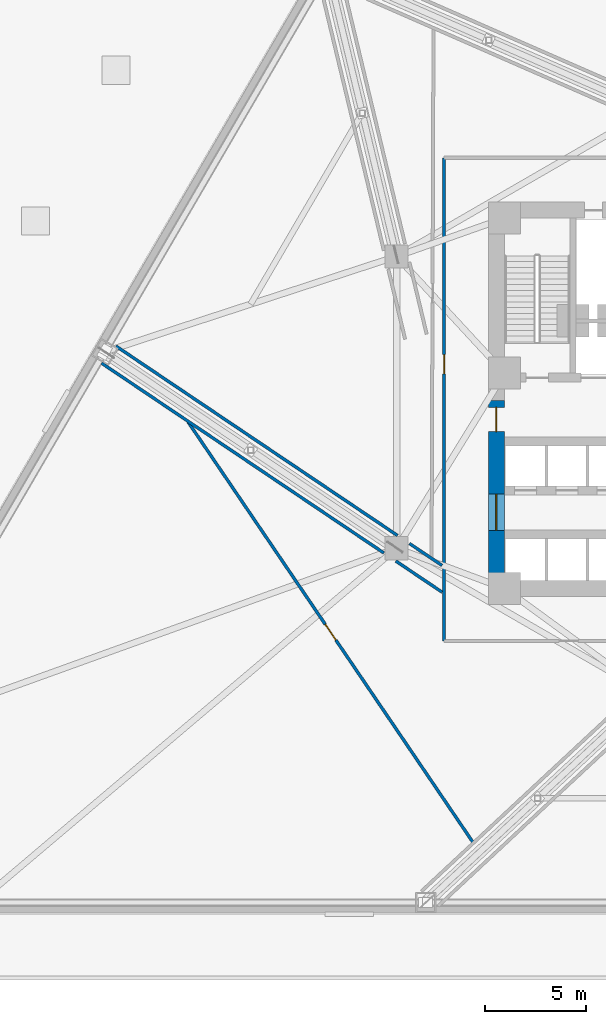
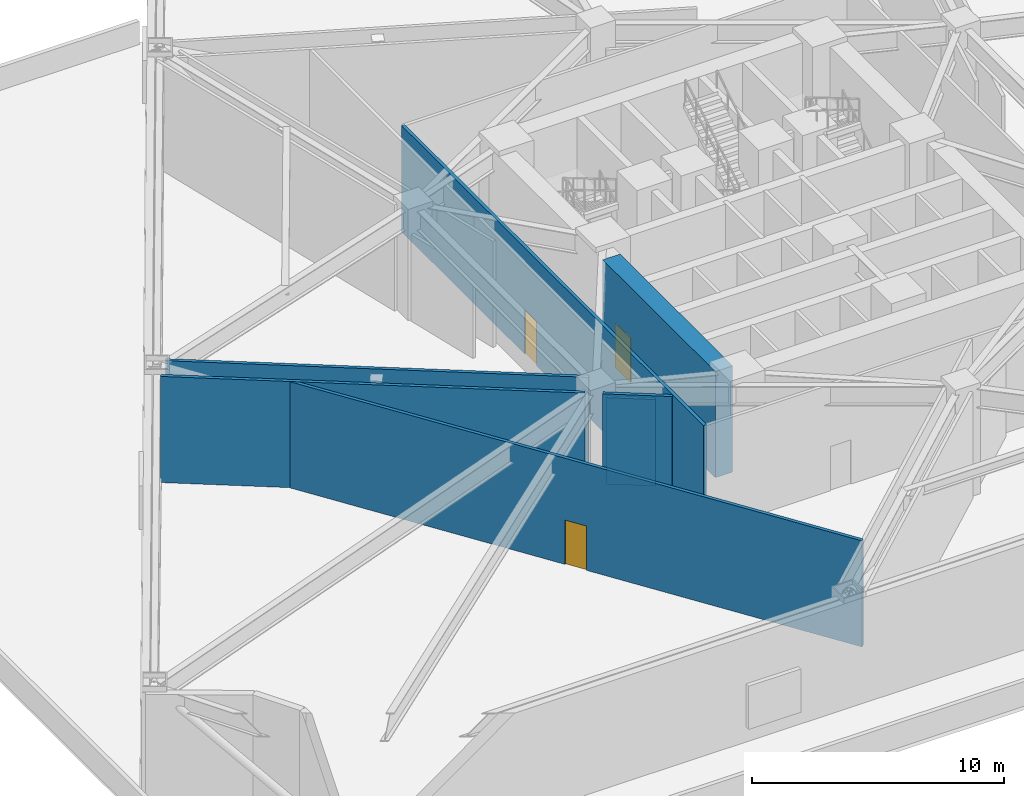
# One storey, part 14 of 23: 7 walls, 4 doors, 4 openings.
"""IFC4 building model written with IfcOpenShell, lengths in metres."""

import ifcopenshell
import ifcopenshell.guid

model = None  # the IFC model being written
_history = None  # IfcOwnerHistory: only IFC2X3 demands one
_inside = {}  # id of a spatial element -> (the spatial element, [elements in it])
_under = {}  # id of a project, library or spatial element -> (it, [spatial elements below it])
_declared = {}  # id of a project -> (the project, [libraries it declares])
_typed = {}  # id of a type object -> (the type object, [elements of that type])
_made_of = {}  # id of a material, layer set ... -> (it, [elements and type objects made of it])


def new_model(schema):
    """Start an empty IFC model of exactly this schema.

    Asked for "IFC4X3", IfcOpenShell would pick the latest addendum, in which some entities
    have other attributes; the version numbers below select the first issue.
    IFC2X3 requires an IfcOwnerHistory on every rooted entity: one is made here for all.
    """
    global model, _history
    if schema == "IFC4X3":
        model = ifcopenshell.file(schema_version=(4, 3, 0, 0))
    else:
        model = ifcopenshell.file(schema=schema)
    _inside.clear()
    _under.clear()
    _declared.clear()
    _typed.clear()
    _made_of.clear()
    _history = None
    if model.schema == "IFC2X3":
        org = make("IfcOrganization", Name="unknown")
        user = make(
            "IfcPersonAndOrganization",
            ThePerson=make("IfcPerson", FamilyName="unknown"),
            TheOrganization=org,
        )
        app = make(
            "IfcApplication",
            ApplicationDeveloper=org,
            Version="unknown",
            ApplicationFullName="unknown",
            ApplicationIdentifier="unknown",
        )
        _history = make(
            "IfcOwnerHistory",
            OwningUser=user,
            OwningApplication=app,
            ChangeAction="ADDED",
            CreationDate=0,
        )
    return model


def make(cls, **values):
    """One entity of the class cls with the attributes given. An attribute that is None is left unset."""
    return model.create_entity(
        cls, **{name: value for name, value in values.items() if value is not None}
    )


def rooted(cls, **values):
    """An entity with a GlobalId (a new one), such as an element, a storey or a relation."""
    return make(cls, GlobalId=ifcopenshell.guid.new(), OwnerHistory=_history, **values)


def si_unit(unit_type, name, prefix=None):
    """IfcSIUnit, for example si_unit("LENGTHUNIT", "METRE", prefix="MILLI")."""
    return make("IfcSIUnit", UnitType=unit_type, Prefix=prefix, Name=name)


def assignment(units):
    """IfcUnitAssignment: the units of a project."""
    return None if units is None else make("IfcUnitAssignment", Units=units)


def point(xyz):
    """IfcCartesianPoint."""
    return None if xyz is None else make("IfcCartesianPoint", Coordinates=xyz)


def direction(xyz):
    """IfcDirection."""
    return None if xyz is None else make("IfcDirection", DirectionRatios=xyz)


def frame(location, z_axis=None, x_axis=None):
    """IfcAxis2Placement3D, a coordinate frame: its origin and axes. An axis left out is left unset."""
    return make(
        "IfcAxis2Placement3D",
        Location=point(location),
        Axis=direction(z_axis),
        RefDirection=direction(x_axis),
    )


def frame_2d(location, x_axis=None):
    """IfcAxis2Placement2D, a coordinate frame in the plane: its origin and x axis."""
    return make(
        "IfcAxis2Placement2D", Location=point(location), RefDirection=direction(x_axis)
    )


def origin():
    """The frame at (0, 0, 0) with its axes left unset."""
    return frame((0.0, 0.0, 0.0))


def place(relative_to, where):
    """IfcLocalPlacement: puts the frame where relative to a parent placement (None: the world)."""
    return make(
        "IfcLocalPlacement", PlacementRelTo=relative_to, RelativePlacement=where
    )


def context(
    kind, dimensions, precision=None, world=None, true_north=None, identifier=None
):
    """IfcGeometricRepresentationContext, for example the 3D "Model" context."""
    return make(
        "IfcGeometricRepresentationContext",
        ContextIdentifier=identifier,
        ContextType=kind,
        CoordinateSpaceDimension=dimensions,
        Precision=precision,
        WorldCoordinateSystem=world,
        TrueNorth=true_north,
    )


def subcontext(parent, identifier, kind, view, scale=None):
    """IfcGeometricRepresentationSubContext, for example "Body" below "Model"."""
    return make(
        "IfcGeometricRepresentationSubContext",
        ContextIdentifier=identifier,
        ContextType=kind,
        ParentContext=parent,
        TargetScale=scale,
        TargetView=view,
    )


def project(units=None, contexts=None):
    """IfcProject with its units and contexts."""
    return rooted(
        "IfcProject",
        Name="project",
        RepresentationContexts=contexts,
        UnitsInContext=assignment(units),
    )


def spatial(cls, under=None, at=None, **own):
    """A site, building, storey or space (cls), placed at a placement, below another one or the project."""
    s = rooted(cls, ObjectPlacement=at, **own)
    if under is not None:
        _under.setdefault(under.id(), (under, []))[1].append(s)
    return s


def profile(cls, at=None, kind="AREA", **sizes):
    """A parametric profile (cls). Its sizes go by their IFC names, for example OverallWidth=200.0."""
    return make(cls, ProfileType=kind, Position=at, **sizes)


def rectangle(**sizes):
    """IfcRectangleProfileDef."""
    return profile("IfcRectangleProfileDef", **sizes)


def extrude(swept, where, along, depth):
    """IfcExtrudedAreaSolid: the profile swept, set in the frame where, extruded along a direction by depth."""
    return make(
        "IfcExtrudedAreaSolid",
        SweptArea=swept,
        Position=where,
        ExtrudedDirection=direction(along),
        Depth=depth,
    )


def shape(context_of_items, identifier, shape_type, items):
    """IfcShapeRepresentation: the items that make up one representation, for example the "Body"."""
    return make(
        "IfcShapeRepresentation",
        ContextOfItems=context_of_items,
        RepresentationIdentifier=identifier,
        RepresentationType=shape_type,
        Items=items,
    )


def material(Name=None, Category=None):
    """IfcMaterial."""
    return make("IfcMaterial", Name=Name, Category=Category)


def layer(
    of_material, thickness, ventilated=None, Name=None, Category=None, Priority=None
):
    """IfcMaterialLayer: one layer of a wall or slab, of a material (None: an air gap)."""
    return make(
        "IfcMaterialLayer",
        Material=of_material,
        LayerThickness=thickness,
        IsVentilated=ventilated,
        Name=Name,
        Category=Category,
        Priority=Priority,
    )


def layer_set(layers, Name=None):
    """IfcMaterialLayerSet."""
    return make("IfcMaterialLayerSet", MaterialLayers=layers, LayerSetName=Name)


def made_of(thing, what):
    """Note that an element or type object is made of a material, layer set ...; save() writes the relation."""
    if what is not None:
        _made_of.setdefault(what.id(), (what, []))[1].append(thing)
    return thing


def type_object(cls, material=None, **own):
    """A type object (cls), such as IfcWallType, which elements share."""
    return made_of(rooted(cls, **own), material)


def element(
    cls,
    number,
    at=None,
    inside=None,
    cuts=None,
    type_object=None,
    material=None,
    context=None,
    identifier="Body",
    shape_type=None,
    held_by="IfcProductDefinitionShape",
    body=None,
    shapes=None,
    **own,
):
    """One element of the class cls, such as IfcWall. Its Tag is "e" and its number.

    at: its placement. inside: the storey or other place that contains it. cuts: it is an
    opening in that element (IfcRelVoidsElement). A single representation is given by context,
    identifier, shape_type and body (its items); several are given by shapes. held_by: the class
    of the entity that holds the representations. save() writes the other relations.
    """
    e = rooted(cls, Tag="e%d" % number, ObjectPlacement=at, **own)
    if body is not None:
        shapes = [shape(context, identifier, shape_type, body)]
    if shapes is not None:
        e.Representation = make(held_by, Representations=shapes)
    if inside is not None:
        _inside.setdefault(inside.id(), (inside, []))[1].append(e)
    if cuts is not None:
        rooted(
            "IfcRelVoidsElement", RelatingBuildingElement=cuts, RelatedOpeningElement=e
        )
    if type_object is not None:
        _typed.setdefault(type_object.id(), (type_object, []))[1].append(e)
    return made_of(e, material)


def fill(opening, filler):
    """IfcRelFillsElement: the door or window that sits in an opening."""
    return rooted(
        "IfcRelFillsElement",
        RelatingOpeningElement=opening,
        RelatedBuildingElement=filler,
    )


def aggregate(whole, parts):
    """IfcRelAggregates: a whole, such as a stair, and the parts it consists of."""
    return rooted("IfcRelAggregates", RelatingObject=whole, RelatedObjects=parts)


def save(model, path):
    """Write the relations noted so far, then the file.

    IfcRelAggregates (storeys below a building ...), IfcRelContainedInSpatialStructure (elements
    in a storey), IfcRelDefinesByType, IfcRelAssociatesMaterial and IfcRelDeclares: one each for
    every whole, place, type object, material and project.
    """
    for whole, parts in _under.values():
        aggregate(whole, parts)
    for where, things in _inside.values():
        rooted(
            "IfcRelContainedInSpatialStructure",
            RelatedElements=things,
            RelatingStructure=where,
        )
    for kind, things in _typed.values():
        rooted("IfcRelDefinesByType", RelatedObjects=things, RelatingType=kind)
    for what, things in _made_of.values():
        rooted("IfcRelAssociatesMaterial", RelatedObjects=things, RelatingMaterial=what)
    for by, libraries in _declared.values():
        rooted("IfcRelDeclares", RelatingContext=by, RelatedDefinitions=libraries)
    model.write(path)


model = new_model("IFC4")

# Units and contexts
model_context = context("Model", 3, precision=1e-05, world=origin(), true_north=direction((0.0, 1.0)))
body_context = subcontext(model_context, "Body", "Model", "MODEL_VIEW")
ifc_project = project(units=[si_unit("LENGTHUNIT", "METRE"), si_unit("AREAUNIT", "SQUARE_METRE"), si_unit("VOLUMEUNIT", "CUBIC_METRE"), si_unit("PLANEANGLEUNIT", "RADIAN"), si_unit("MASSUNIT", "GRAM", prefix="KILO")], contexts=[model_context])

# Site, building, storey
site_placement = place(None, origin())
site = spatial("IfcSite", under=ifc_project, at=site_placement, CompositionType="ELEMENT")
building_placement = place(site_placement, origin())
building = spatial("IfcBuilding", under=site, at=building_placement, Name="Apsidion Concourse Tower", CompositionType="ELEMENT")
storey_placement = place(building_placement, frame((0.0, 0.0, 29.0)))
storey = spatial("IfcBuildingStorey", under=building, at=storey_placement, Name="L05", CompositionType="ELEMENT", Elevation=29.0)

# Wall, opening, door
ifc_material_1 = material(Name="Gypsum plasterboard partition")
ifc_layer_1 = layer(ifc_material_1, 0.14990234375)
ifc_layer_set_1 = layer_set([ifc_layer_1], Name="Gypsum plasterboard partition")
wall_type_1 = type_object("IfcWallType", Name="WL-INT-PAR-150", PredefinedType="PARTITIONING", material=ifc_layer_set_1)
wall_1_placement = place(storey_placement, frame((-10.199951171875, -11.85009765625, 0.0), z_axis=(0.0, 0.0, 1.0), x_axis=(0.0, 1.0, 0.0)))
wall_1 = element("IfcWall", 1, at=wall_1_placement, inside=storey, type_object=wall_type_1, Name="L05 Interior Partition WL-L05-CORR-04", PredefinedType="PARTITIONING", context=body_context, shape_type="SweptSolid", body=[
    extrude(rectangle(XDim=24.0, YDim=0.14990234375, at=frame_2d((12.0, 0.0))), origin(), (0.0, 0.0, 1.0), 5.14990234375),
])
opening_1_placement = place(wall_1_placement, frame((13.267333984375, 0.0, 0.0)))
opening_1 = element("IfcOpeningElement", 2, at=opening_1_placement, cuts=wall_1, Name="Opening D-01L", PredefinedType="OPENING", context=body_context, shape_type="SweptSolid", body=[
    extrude(rectangle(XDim=0.949951171875, YDim=2.14990234375, at=frame_2d((0.47509765625, 1.074951171875))), frame((0.0, 0.0849609375, 0.0), z_axis=(0.0, -1.0, 0.0), x_axis=(1.0, 0.0, 0.0)), (0.0, 0.0, 1.0), 0.169921875),
])
ifc_material_2 = material(Name="Brushed stainless steel 316", Category="steel")
door_type_1 = type_object("IfcDoorType", Name="DR-INT-D01L", OperationType="SINGLE_SWING_LEFT", PredefinedType="DOOR", material=ifc_material_2)
door_1_placement = place(opening_1_placement, origin())
door_1 = element("IfcDoor", 3, at=door_1_placement, inside=storey, type_object=door_type_1, Name="L05 Corridor Entry Door 05", OperationType="SINGLE_SWING_LEFT", OverallHeight=2.14990234375, OverallWidth=0.949951171875, PredefinedType="DOOR", context=body_context, shape_type="SweptSolid", body=[
    extrude(rectangle(XDim=0.949951171875, YDim=2.14990234375, at=frame_2d((0.47509765625, 1.074951171875))), frame((0.0, 0.02490234375, 0.0), z_axis=(0.0, -1.0, 0.0), x_axis=(1.0, 0.0, 0.0)), (0.0, 0.0, 1.0), 0.050048828125),
])
fill(opening_1, door_1)

# Walls
wall_2_placement = place(storey_placement, frame((-10.304931640625, -8.10400390625, 0.0), z_axis=(0.0, 0.0, 1.0), x_axis=(-0.829792650757, 0.558071820423, 0.0)))
element("IfcWall", 4, at=wall_2_placement, inside=storey, type_object=wall_type_1, Name="L05 Interior Partition WL-L05-OTW-01-1-1", PredefinedType="PARTITIONING", context=body_context, shape_type="SweptSolid", body=[
    extrude(rectangle(XDim=1.952392578125, YDim=0.14990234375, at=frame_2d((0.97607421875, 0.0))), origin(), (0.0, 0.0, 1.0), 4.197998046875),
])
wall_3_placement = place(storey_placement, frame((-12.518798828125, -6.614990234375, 0.0), z_axis=(0.0, 0.0, 1.0), x_axis=(-0.829763697696, 0.558114868093, 0.0)))
element("IfcWall", 5, at=wall_3_placement, inside=storey, type_object=wall_type_1, Name="L05 Interior Partition WL-L05-OTW-01-1-2", PredefinedType="PARTITIONING", context=body_context, shape_type="SweptSolid", body=[
    extrude(rectangle(XDim=16.855712890625, YDim=0.14990234375, at=frame_2d((8.427734375, 0.0))), origin(), (0.0, 0.0, 1.0), 5.14990234375),
])
wall_4_placement = place(storey_placement, frame((-10.304931640625, -9.4296875, 0.0), z_axis=(0.0, 0.0, 1.0), x_axis=(-0.829749593544, 0.558135836525, 0.0)))
element("IfcWall", 6, at=wall_4_placement, inside=storey, type_object=wall_type_1, Name="L05 Interior Partition WL-L05-OTW-01-2-1", PredefinedType="PARTITIONING", context=body_context, shape_type="SweptSolid", body=[
    extrude(rectangle(XDim=2.767578125, YDim=0.14990234375, at=frame_2d((1.3837890625, 0.0))), origin(), (0.0, 0.0, 1.0), 5.14990234375),
])
wall_5_placement = place(storey_placement, frame((-13.195068359375, -7.48583984375, 0.0), z_axis=(0.0, 0.0, 1.0), x_axis=(-0.829762980898, 0.558115933773, 0.0)))
element("IfcWall", 7, at=wall_5_placement, inside=storey, type_object=wall_type_1, Name="L05 Interior Partition WL-L05-OTW-01-2-2", PredefinedType="PARTITIONING", context=body_context, shape_type="SweptSolid", body=[
    extrude(rectangle(XDim=16.89990234375, YDim=0.14990234375, at=frame_2d((8.449951171875, 0.0))), origin(), (0.0, 0.0, 1.0), 5.14990234375),
])

# Wall, opening, door
wall_6_placement = place(storey_placement, frame((-22.9306640625, -0.961669921875, 0.0), z_axis=(0.0, 0.0, 1.0), x_axis=(0.561004334849, -0.82781286308, 0.0)))
wall_6 = element("IfcWall", 8, at=wall_6_placement, inside=storey, type_object=wall_type_1, Name="L05 Interior Partition WL-L05-CHD-PLS02", PredefinedType="PARTITIONING", context=body_context, shape_type="SweptSolid", body=[
    extrude(rectangle(XDim=25.263427734375, YDim=0.14990234375, at=frame_2d((12.6318359375, 0.0))), origin(), (0.0, 0.0, 1.0), 5.14990234375),
])
opening_2_placement = place(wall_6_placement, frame((12.15673828125, 0.0, 0.0)))
opening_2 = element("IfcOpeningElement", 9, at=opening_2_placement, cuts=wall_6, Name="Opening D-04R", PredefinedType="OPENING", context=body_context, shape_type="SweptSolid", body=[
    extrude(rectangle(XDim=0.949951171875, YDim=2.14990234375, at=frame_2d((0.47509765625, 1.074951171875))), frame((0.0, 0.0849609375, 0.0), z_axis=(0.0, -1.0, 0.0), x_axis=(1.0, 0.0, 0.0)), (0.0, 0.0, 1.0), 0.169921875),
])
door_type_2 = type_object("IfcDoorType", Name="DR-INT-D04R", OperationType="SINGLE_SWING_RIGHT", PredefinedType="DOOR", material=ifc_material_2)
door_2_placement = place(opening_2_placement, origin())
door_2 = element("IfcDoor", 10, at=door_2_placement, inside=storey, type_object=door_type_2, Name="L05 Suite Connecting Door PLS02", OperationType="SINGLE_SWING_RIGHT", OverallHeight=2.14990234375, OverallWidth=0.949951171875, PredefinedType="DOOR", context=body_context, shape_type="SweptSolid", body=[
    extrude(rectangle(XDim=0.949951171875, YDim=2.14990234375, at=frame_2d((0.47509765625, 1.074951171875))), frame((0.0, 0.02490234375, 0.0), z_axis=(0.0, -1.0, 0.0), x_axis=(1.0, 0.0, 0.0)), (0.0, 0.0, 1.0), 0.050048828125),
])
fill(opening_2, door_2)

# Wall, openings, doors
ifc_material_3 = material(Name="Concrete C60/75", Category="concrete")
ifc_layer_2 = layer(ifc_material_3, 0.800048828125)
ifc_layer_set_2 = layer_set([ifc_layer_2], Name="Concrete C60/75")
wall_type_2 = type_object("IfcWallType", Name="WL-SH-800", PredefinedType="SHEAR", material=ifc_layer_set_2)
wall_7_placement = place(storey_placement, frame((-7.60009765625, -8.85009765625, 0.0), z_axis=(0.0, 0.0, 1.0), x_axis=(0.0, 1.0, 0.0)))
wall_7 = element("IfcWall", 11, at=wall_7_placement, inside=storey, type_object=wall_type_2, Name="L05 Central Core Shear Wall WS", PredefinedType="SHEAR", context=body_context, shape_type="SweptSolid", body=[
    extrude(rectangle(XDim=8.9501953125, YDim=0.800048828125, at=frame_2d((4.47509765625, 0.0))), origin(), (0.0, 0.0, 1.0), 5.14990234375),
])
opening_3_placement = place(wall_7_placement, frame((2.489990234375, 0.0, 0.0)))
opening_3 = element("IfcOpeningElement", 12, at=opening_3_placement, cuts=wall_7, Name="Opening D-06D", PredefinedType="OPENING", context=body_context, shape_type="SweptSolid", body=[
    extrude(rectangle(XDim=1.800048828125, YDim=2.199951171875, at=frame_2d((0.89990234375, 1.10009765625))), frame((0.0, 0.41015625, 0.0), z_axis=(0.0, -1.0, 0.0), x_axis=(1.0, 0.0, 0.0)), (0.0, 0.0, 1.0), 0.820068359375),
])
opening_4_placement = place(wall_7_placement, frame((7.39990234375, 0.0, 0.0)))
opening_4 = element("IfcOpeningElement", 13, at=opening_4_placement, cuts=wall_7, Name="Opening D-FFL", PredefinedType="OPENING", context=body_context, shape_type="SweptSolid", body=[
    extrude(rectangle(XDim=1.199951171875, YDim=2.14990234375, at=frame_2d((0.60009765625, 1.074951171875))), frame((0.0, 0.41015625, 0.0), z_axis=(0.0, -1.0, 0.0), x_axis=(1.0, 0.0, 0.0)), (0.0, 0.0, 1.0), 0.820068359375),
])
door_type_3 = type_object("IfcDoorType", Name="DR-INT-D06D", OperationType="DOUBLE_DOOR_SINGLE_SWING", PredefinedType="DOOR", material=ifc_material_2)
door_3_placement = place(opening_3_placement, origin())
door_3 = element("IfcDoor", 14, at=door_3_placement, inside=storey, type_object=door_type_3, Name="L05 Passenger Lift Lobby WS Portal Door", OperationType="DOUBLE_DOOR_SINGLE_SWING", OverallHeight=2.199951171875, OverallWidth=1.800048828125, PredefinedType="DOOR", context=body_context, shape_type="SweptSolid", body=[
    extrude(rectangle(XDim=1.800048828125, YDim=2.199951171875, at=frame_2d((0.89990234375, 1.10009765625))), frame((0.0, 0.02490234375, 0.0), z_axis=(0.0, -1.0, 0.0), x_axis=(1.0, 0.0, 0.0)), (0.0, 0.0, 1.0), 0.050048828125),
])
fill(opening_3, door_3)
door_type_4 = type_object("IfcDoorType", Name="DR-INT-FFL", OperationType="SINGLE_SWING_LEFT", PredefinedType="DOOR", material=ifc_material_2)
door_4_placement = place(opening_4_placement, origin())
door_4 = element("IfcDoor", 15, at=door_4_placement, inside=storey, type_object=door_type_4, Name="L05 Firefighting Lift Lobby FF1 Door", OperationType="SINGLE_SWING_LEFT", OverallHeight=2.14990234375, OverallWidth=1.199951171875, PredefinedType="DOOR", context=body_context, shape_type="SweptSolid", body=[
    extrude(rectangle(XDim=1.199951171875, YDim=2.14990234375, at=frame_2d((0.60009765625, 1.074951171875))), frame((0.0, 0.02490234375, 0.0), z_axis=(0.0, -1.0, 0.0), x_axis=(1.0, 0.0, 0.0)), (0.0, 0.0, 1.0), 0.050048828125),
])
fill(opening_4, door_4)

save(model, "model.ifc")
